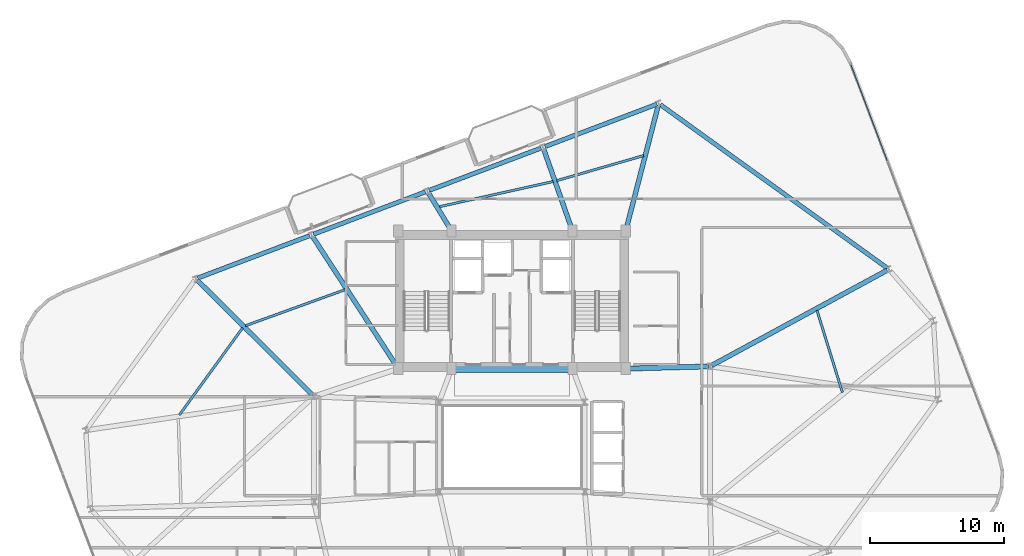
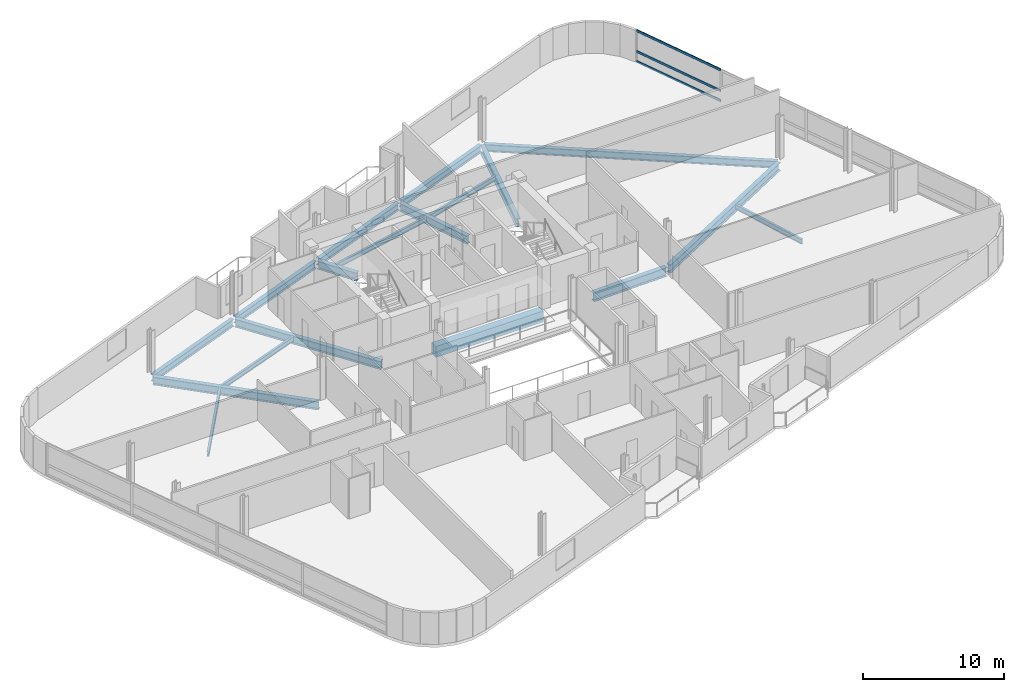
# One storey, part 9 of 20: 18 beams, 3 members, 1 element without a shape of its own.
"""IFC4 building model written with IfcOpenShell, lengths in metres."""

from ifc_helpers import new_model, si_unit, direction, frame, origin, origin_2d, place, context, subcontext, project, spatial, rectangle, hollow_rectangle, i_section, extrude, material, layer, layer_set, material_profile, profile_set, type_object, element, aggregate, save


model = new_model("IFC4")

# Units and contexts
model_context = context("Model", 3, precision=1e-05, world=origin(), true_north=direction((0.0, 1.0)))
body_context = subcontext(model_context, "Body", "Model", "MODEL_VIEW")
ifc_project = project(units=[si_unit("LENGTHUNIT", "METRE"), si_unit("AREAUNIT", "SQUARE_METRE"), si_unit("VOLUMEUNIT", "CUBIC_METRE"), si_unit("PLANEANGLEUNIT", "RADIAN"), si_unit("MASSUNIT", "GRAM", prefix="KILO")], contexts=[model_context])

# Site, building, storey
site_placement = place(None, origin())
site = spatial("IfcSite", under=ifc_project, at=site_placement, CompositionType="ELEMENT")
building_placement = place(site_placement, origin())
building = spatial("IfcBuilding", under=site, at=building_placement, Name="Varnelok Gate Tower", CompositionType="ELEMENT")
storey_placement = place(building_placement, frame((0.0, 0.0, 223.800048828125)))
storey = spatial("IfcBuildingStorey", under=building, at=storey_placement, Name="L57", CompositionType="ELEMENT", Elevation=223.800048828125)

# Beams
ifc_material_1 = material(Name="Structural Steel ASTM A992 Grade 50", Category="steel")
ifc_material_profile_1 = material_profile(ifc_material_1, i_section(OverallWidth=0.180908203125, OverallDepth=0.4169921875, WebThickness=0.010986328125, FlangeThickness=0.018310546875, FilletRadius=0.013916015625, at=origin_2d()), Name="W16X57")
ifc_profile_set_1 = profile_set([ifc_material_profile_1], Name="Structural Steel ASTM A992 Grade 50")
beam_type_1 = type_object("IfcBeamType", Name="BM-JST-W16X57", PredefinedType="JOIST", material=ifc_profile_set_1)
beam_1_placement = place(storey_placement, frame((63.898193359375, 26.977783203125, -0.45849609375), z_axis=(-0.296133488233, 0.955146563176, 0.0), x_axis=(-0.955146563176, -0.296133488233, 0.0)))
element("IfcBeam", 1, at=beam_1_placement, inside=storey, type_object=beam_type_1, Name="L57 Sector Floor Joist 6", PredefinedType="JOIST", context=body_context, shape_type="SweptSolid", body=[
    extrude(i_section(OverallWidth=0.180908203125, OverallDepth=0.4169921875, WebThickness=0.010986328125, FlangeThickness=0.018310546875, FilletRadius=0.013916015625, at=origin_2d()), origin(), (0.0, 0.0, 1.0), 6.415771484375),
])
beam_2_placement = place(storey_placement, frame((49.03564453125, 44.6767578125, -0.45849609375), z_axis=(-0.960863749944, -0.277021396365, 0.0), x_axis=(0.277021396365, -0.960863749944, 0.0)))
element("IfcBeam", 2, at=beam_2_placement, inside=storey, type_object=beam_type_1, Name="L57 Sector Floor Joist 7", PredefinedType="JOIST", context=body_context, shape_type="SweptSolid", body=[
    extrude(i_section(OverallWidth=0.180908203125, OverallDepth=0.4169921875, WebThickness=0.010986328125, FlangeThickness=0.018310546875, FilletRadius=0.013916015625, at=origin_2d()), origin(), (0.0, 0.0, 1.0), 6.75439453125),
])
beam_3_placement = place(storey_placement, frame((42.2744140625, 42.736572265625, -0.45849609375), z_axis=(-0.976391660432, -0.216007697639, 0.0), x_axis=(0.216007697639, -0.976391660432, 0.0)))
element("IfcBeam", 3, at=beam_3_placement, inside=storey, type_object=beam_type_1, Name="L57 Sector Floor Joist 8", PredefinedType="JOIST", context=body_context, shape_type="SweptSolid", body=[
    extrude(i_section(OverallWidth=0.180908203125, OverallDepth=0.4169921875, WebThickness=0.010986328125, FlangeThickness=0.018310546875, FilletRadius=0.013916015625, at=origin_2d()), origin(), (0.0, 0.0, 1.0), 8.7412109375),
])
beam_4_placement = place(storey_placement, frame((26.7119140625, 34.650390625, -0.45849609375), z_axis=(-0.940283740467, -0.340391667662, 0.0), x_axis=(0.340391667662, -0.940283740467, 0.0)))
element("IfcBeam", 4, at=beam_4_placement, inside=storey, type_object=beam_type_1, Name="L57 Sector Floor Joist 9", PredefinedType="JOIST", context=body_context, shape_type="SweptSolid", body=[
    extrude(i_section(OverallWidth=0.180908203125, OverallDepth=0.4169921875, WebThickness=0.010986328125, FlangeThickness=0.018310546875, FilletRadius=0.013916015625, at=origin_2d()), origin(), (0.0, 0.0, 1.0), 7.907470703125),
])
beam_5_placement = place(storey_placement, frame((19.0625, 31.797607421875, -0.45849609375), z_axis=(-0.587540144544, -0.809195018861, 0.0), x_axis=(0.809195018861, -0.587540144544, 0.0)))
element("IfcBeam", 5, at=beam_5_placement, inside=storey, type_object=beam_type_1, Name="L57 Sector Floor Joist 10", PredefinedType="JOIST", context=body_context, shape_type="SweptSolid", body=[
    extrude(i_section(OverallWidth=0.180908203125, OverallDepth=0.4169921875, WebThickness=0.010986328125, FlangeThickness=0.018310546875, FilletRadius=0.013916015625, at=origin_2d()), origin(), (0.0, 0.0, 1.0), 8.047119140625),
])
ifc_material_2 = material(Name="Concrete C60/75", Category="concrete")
ifc_material_profile_2 = material_profile(ifc_material_2, rectangle(XDim=0.60009765625, YDim=0.949951171875, at=origin_2d()), Name="RC950X600")
ifc_profile_set_2 = profile_set([ifc_material_profile_2], Name="Concrete C60/75")
beam_type_2 = type_object("IfcBeamType", Name="BM-LNT-RC950", PredefinedType="LINTEL", material=ifc_profile_set_2)
beam_6_placement = place(storey_placement, frame((34.800048828125, 28.75, -0.72509765625), z_axis=(1.0, 0.0, 0.0), x_axis=(0.0, 1.0, 0.0)))
element("IfcBeam", 6, at=beam_6_placement, inside=storey, type_object=beam_type_2, Name="L57 Core-Atrium Spine Beam 7", PredefinedType="LINTEL", context=body_context, shape_type="SweptSolid", body=[
    extrude(rectangle(XDim=0.60009765625, YDim=0.949951171875, at=origin_2d()), origin(), (0.0, 0.0, 1.0), 8.800048828125),
])
ifc_material_profile_3 = material_profile(ifc_material_1, i_section(OverallWidth=0.35498046875, OverallDepth=0.696044921875, WebThickness=0.015380859375, FlangeThickness=0.02490234375, FilletRadius=0.02001953125, at=origin_2d()), Name="W27X146")
ifc_profile_set_3 = profile_set([ifc_material_profile_3], Name="Structural Steel ASTM A992 Grade 50")
beam_type_3 = type_object("IfcBeamType", Name="BM-PRI-W27X146", PredefinedType="BEAM", material=ifc_profile_set_3)
beam_7_placement = place(storey_placement, frame((54.1318359375, 28.99169921875, -0.59814453125), z_axis=(0.878855196349, 0.477088612157, 0.0), x_axis=(-0.477088612157, 0.878855196349, 0.0)))
element("IfcBeam", 7, at=beam_7_placement, inside=storey, type_object=beam_type_3, Name="L57 Radial Floor Girder 8", PredefinedType="BEAM", context=body_context, shape_type="SweptSolid", body=[
    extrude(i_section(OverallWidth=0.35498046875, OverallDepth=0.696044921875, WebThickness=0.015380859375, FlangeThickness=0.02490234375, FilletRadius=0.02001953125, at=origin_2d()), origin(), (0.0, 0.0, 1.0), 14.91650390625),
])
beam_8_placement = place(storey_placement, frame((47.73779296875, 39.1953125, -0.59814453125), z_axis=(0.251175366301, 0.967941597083, 0.0), x_axis=(-0.967941597083, 0.251175366301, 0.0)))
element("IfcBeam", 8, at=beam_8_placement, inside=storey, type_object=beam_type_3, Name="L57 Radial Floor Girder 9", PredefinedType="BEAM", context=body_context, shape_type="SweptSolid", body=[
    extrude(i_section(OverallWidth=0.35498046875, OverallDepth=0.696044921875, WebThickness=0.015380859375, FlangeThickness=0.02490234375, FilletRadius=0.02001953125, at=origin_2d()), origin(), (0.0, 0.0, 1.0), 9.537109375),
])
beam_9_placement = place(storey_placement, frame((43.670166015625, 39.19140625, -0.59814453125), z_axis=(-0.332145441042, 0.943228183419, 0.0), x_axis=(-0.943228183419, -0.332145441042, 0.0)))
element("IfcBeam", 9, at=beam_9_placement, inside=storey, type_object=beam_type_3, Name="L57 Radial Floor Girder 10", PredefinedType="BEAM", context=body_context, shape_type="SweptSolid", body=[
    extrude(i_section(OverallWidth=0.35498046875, OverallDepth=0.696044921875, WebThickness=0.015380859375, FlangeThickness=0.02490234375, FilletRadius=0.02001953125, at=origin_2d()), origin(), (0.0, 0.0, 1.0), 6.32275390625),
])
beam_10_placement = place(storey_placement, frame((34.60205078125, 39.177978515625, -0.59814453125), z_axis=(-0.520275699177, 0.853998358808, 0.0), x_axis=(-0.853998358808, -0.520275699177, 0.0)))
element("IfcBeam", 10, at=beam_10_placement, inside=storey, type_object=beam_type_3, Name="L57 Radial Floor Girder 11", PredefinedType="BEAM", context=body_context, shape_type="SweptSolid", body=[
    extrude(i_section(OverallWidth=0.35498046875, OverallDepth=0.696044921875, WebThickness=0.015380859375, FlangeThickness=0.02490234375, FilletRadius=0.02001953125, at=origin_2d()), origin(), (0.0, 0.0, 1.0), 3.18017578125),
])
beam_11_placement = place(storey_placement, frame((30.618408203125, 28.8759765625, -0.59814453125), z_axis=(-0.544016338938, 0.839074623004, 0.0), x_axis=(-0.839074623004, -0.544016338938, 0.0)))
element("IfcBeam", 11, at=beam_11_placement, inside=storey, type_object=beam_type_3, Name="L57 Radial Floor Girder 12", PredefinedType="BEAM", context=body_context, shape_type="SweptSolid", body=[
    extrude(i_section(OverallWidth=0.35498046875, OverallDepth=0.696044921875, WebThickness=0.015380859375, FlangeThickness=0.02490234375, FilletRadius=0.02001953125, at=origin_2d()), origin(), (0.0, 0.0, 1.0), 11.61376953125),
])
beam_12_placement = place(storey_placement, frame((24.293701171875, 26.785888671875, -0.59814453125), z_axis=(-0.708740938647, 0.705468838352, 0.0), x_axis=(-0.705468838352, -0.708740938647, 0.0)))
element("IfcBeam", 12, at=beam_12_placement, inside=storey, type_object=beam_type_3, Name="L57 Radial Floor Girder 13", PredefinedType="BEAM", context=body_context, shape_type="SweptSolid", body=[
    extrude(i_section(OverallWidth=0.35498046875, OverallDepth=0.696044921875, WebThickness=0.015380859375, FlangeThickness=0.02490234375, FilletRadius=0.02001953125, at=origin_2d()), origin(), (0.0, 0.0, 1.0), 12.161865234375),
])
ifc_material_profile_4 = material_profile(ifc_material_1, i_section(OverallWidth=0.381103515625, OverallDepth=0.77294921875, WebThickness=0.0166015625, FlangeThickness=0.027099609375, FilletRadius=0.02197265625, at=origin_2d()), Name="W30X173")
ifc_profile_set_4 = profile_set([ifc_material_profile_4], Name="Structural Steel ASTM A992 Grade 50")
beam_type_4 = type_object("IfcBeamType", Name="BM-PRI-W30X173", PredefinedType="BEAM", material=ifc_profile_set_4)
beam_13_placement = place(storey_placement, frame((47.820068359375, 28.753173828125, -0.636474609375), z_axis=(0.999635880609, 0.026983443053, 0.0), x_axis=(-0.026983443053, 0.999635880609, 0.0)))
element("IfcBeam", 13, at=beam_13_placement, inside=storey, type_object=beam_type_4, Name="L57 Core-Atrium Spine Beam 19", PredefinedType="BEAM", context=body_context, shape_type="SweptSolid", body=[
    extrude(i_section(OverallWidth=0.381103515625, OverallDepth=0.77294921875, WebThickness=0.0166015625, FlangeThickness=0.027099609375, FilletRadius=0.02197265625, at=origin_2d()), origin(), (0.0, 0.0, 1.0), 6.06201171875),
])
ifc_material_profile_5 = material_profile(ifc_material_1, i_section(OverallWidth=0.323974609375, OverallDepth=0.611083984375, WebThickness=0.0126953125, FlangeThickness=0.01904296875, FilletRadius=0.01806640625, at=origin_2d()), Name="W24X104")
ifc_profile_set_5 = profile_set([ifc_material_profile_5], Name="Structural Steel ASTM A992 Grade 50")
beam_type_5 = type_object("IfcBeamType", Name="BM-SPN-W24X104", PredefinedType="SPANDREL", material=ifc_profile_set_5)
beam_14_placement = place(storey_placement, frame((67.251220703125, 36.267333984375, -0.5556640625), z_axis=(-0.811382769408, 0.58451518501, 0.0), x_axis=(-0.58451518501, -0.811382769408, 0.0)))
element("IfcBeam", 14, at=beam_14_placement, inside=storey, type_object=beam_type_5, Name="L57 Perimeter Spandrel Beam 8", PredefinedType="SPANDREL", context=body_context, shape_type="SweptSolid", body=[
    extrude(i_section(OverallWidth=0.323974609375, OverallDepth=0.611083984375, WebThickness=0.0126953125, FlangeThickness=0.01904296875, FilletRadius=0.01806640625, at=origin_2d()), origin(), (0.0, 0.0, 1.0), 20.900634765625),
])
beam_15_placement = place(storey_placement, frame((50.03076171875, 48.518798828125, -0.5556640625), z_axis=(-0.935220356141, -0.354066216208, 0.0), x_axis=(0.354066216208, -0.935220356141, 0.0)))
element("IfcBeam", 15, at=beam_15_placement, inside=storey, type_object=beam_type_5, Name="L57 Perimeter Spandrel Beam 9", PredefinedType="SPANDREL", context=body_context, shape_type="SweptSolid", body=[
    extrude(i_section(OverallWidth=0.323974609375, OverallDepth=0.611083984375, WebThickness=0.0126953125, FlangeThickness=0.01904296875, FilletRadius=0.01806640625, at=origin_2d()), origin(), (0.0, 0.0, 1.0), 8.9501953125),
])
for number, where, z_axis, x_axis, name in (
    (16, (41.3798828125, 45.24365234375, -0.5556640625), (-0.935225969099, -0.354051389947, 0.0), (0.354051389947, -0.935225969099, 0.0), "L57 Perimeter Spandrel Beam 10"),
    (17, (32.72900390625, 41.96875, -0.5556640625), (-0.935216936382, -0.354075248928, 0.0), (0.354075248928, -0.935216936382, 0.0), "L57 Perimeter Spandrel Beam 11"),
):
    element("IfcBeam", number, at=place(storey_placement, frame(where, z_axis=z_axis, x_axis=x_axis)), inside=storey, type_object=beam_type_5, Name=name, PredefinedType="SPANDREL", context=body_context, shape_type="SweptSolid", body=[
        extrude(i_section(OverallWidth=0.323974609375, OverallDepth=0.611083984375, WebThickness=0.0126953125, FlangeThickness=0.01904296875, FilletRadius=0.01806640625, at=origin_2d()), origin(), (0.0, 0.0, 1.0), 8.949951171875),
    ])
beam_16_placement = place(storey_placement, frame((24.078369140625, 38.693603515625, -0.5556640625), z_axis=(-0.935220356141, -0.354066216208, 0.0), x_axis=(0.354066216208, -0.935220356141, 0.0)))
element("IfcBeam", 18, at=beam_16_placement, inside=storey, type_object=beam_type_5, Name="L57 Perimeter Spandrel Beam 12", PredefinedType="SPANDREL", context=body_context, shape_type="SweptSolid", body=[
    extrude(i_section(OverallWidth=0.323974609375, OverallDepth=0.611083984375, WebThickness=0.0126953125, FlangeThickness=0.01904296875, FilletRadius=0.01806640625, at=origin_2d()), origin(), (0.0, 0.0, 1.0), 8.9501953125),
])

# Curtain wall, members
ifc_material_3 = material(Name="Anodized Aluminum Alloy 6063-T6", Category="aluminium")
ifc_layer = layer(ifc_material_3, 0.179931640625)
ifc_layer_set = layer_set([ifc_layer], Name="Anodized Aluminum Alloy 6063-T6")
curtain_wall_type = type_object("IfcCurtainWallType", Name="CW4-RESIDENCE-VISION", PredefinedType="USERDEFINED", material=ifc_layer_set)
curtain_wall_placement = place(storey_placement, origin())
curtain_wall = element("IfcCurtainWall", 19, at=curtain_wall_placement, inside=storey, type_object=curtain_wall_type, Name="L57 East End Vision Curtain Wall", ObjectType="UNITISED CURTAIN WALL", PredefinedType="USERDEFINED")
ifc_material_profile_6 = material_profile(ifc_material_3, hollow_rectangle(XDim=0.074951171875, YDim=0.199951171875, WallThickness=0.00390625, at=origin_2d()), Name="ALU200X75X4")
ifc_profile_set_6 = profile_set([ifc_material_profile_6], Name="Anodized Aluminum Alloy 6063-T6")
member_type = type_object("IfcMemberType", Name="CW-TRAN-200", PredefinedType="USERDEFINED", material=ifc_profile_set_6)
member_1_placement = place(storey_placement, frame((64.528076171875, 51.4892578125, 0.037353515625), z_axis=(0.354073041953, -0.935217771945, 0.0), x_axis=(0.935217771945, 0.354073041953, 0.0)))
member_1 = element("IfcMember", 20, at=member_1_placement, type_object=member_type, Name="CW4 transom 1.1", ObjectType="TRANSOM", PredefinedType="USERDEFINED", context=body_context, shape_type="SweptSolid", body=[
    extrude(hollow_rectangle(XDim=0.074951171875, YDim=0.199951171875, WallThickness=0.00390625, at=origin_2d()), origin(), (0.0, 0.0, 1.0), 7.6875),
])
member_2_placement = place(storey_placement, frame((64.528076171875, 51.4892578125, 0.89990234375), z_axis=(0.354073041953, -0.935217771945, 0.0), x_axis=(0.935217771945, 0.354073041953, 0.0)))
member_2 = element("IfcMember", 21, at=member_2_placement, type_object=member_type, Name="CW4 transom 1.2", ObjectType="TRANSOM", PredefinedType="USERDEFINED", context=body_context, shape_type="SweptSolid", body=[
    extrude(hollow_rectangle(XDim=0.074951171875, YDim=0.199951171875, WallThickness=0.00390625, at=origin_2d()), origin(), (0.0, 0.0, 1.0), 7.6875),
])
member_3_placement = place(storey_placement, frame((64.528076171875, 51.4892578125, 2.6923828125), z_axis=(0.354073041953, -0.935217771945, 0.0), x_axis=(0.935217771945, 0.354073041953, 0.0)))
member_3 = element("IfcMember", 22, at=member_3_placement, type_object=member_type, Name="CW4 transom 1.3", ObjectType="TRANSOM", PredefinedType="USERDEFINED", context=body_context, shape_type="SweptSolid", body=[
    extrude(hollow_rectangle(XDim=0.074951171875, YDim=0.199951171875, WallThickness=0.00390625, at=origin_2d()), origin(), (0.0, 0.0, 1.0), 7.6875),
])
aggregate(curtain_wall, [member_1, member_2, member_3])

save(model, "model.ifc")
